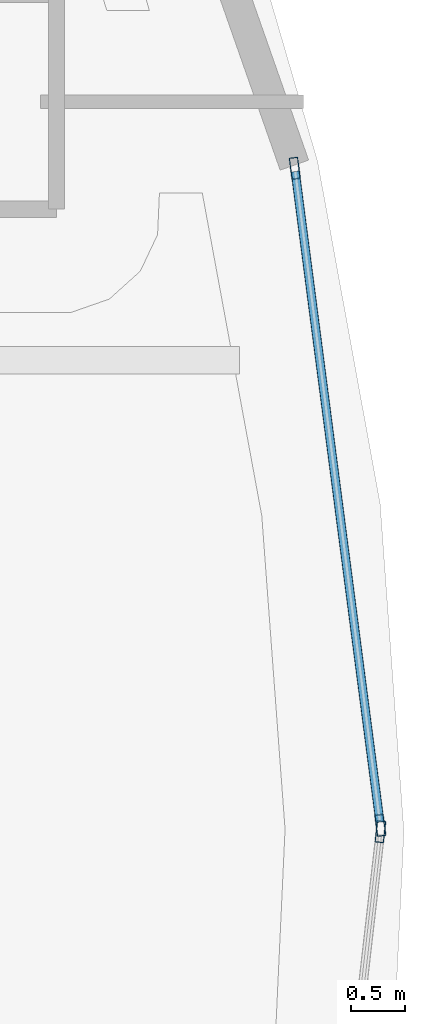
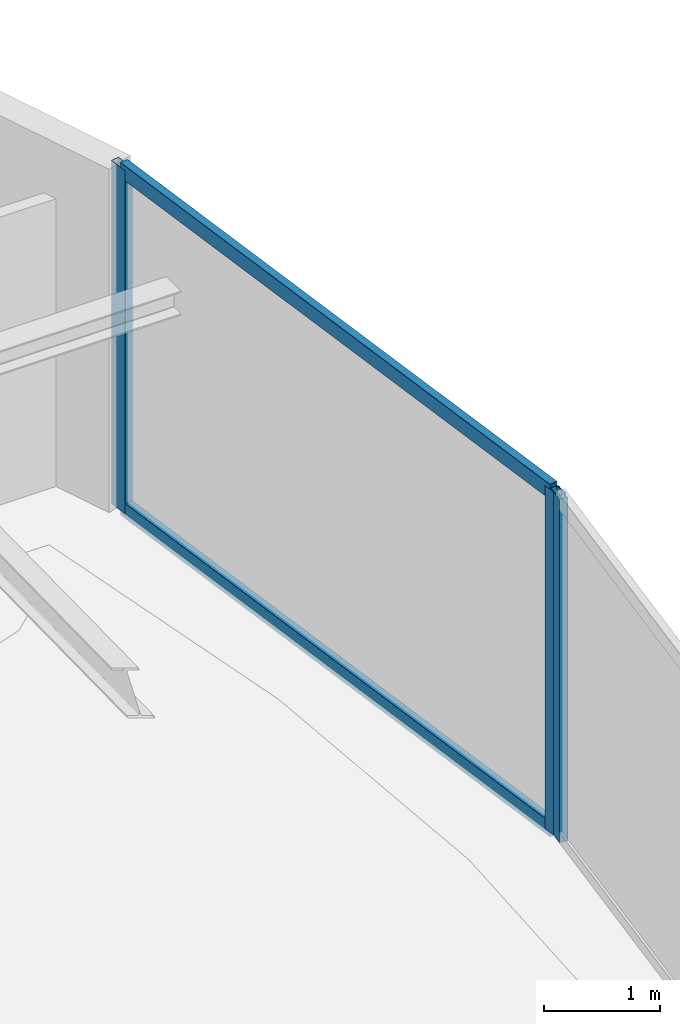
# One storey, part 9 of 20: 5 members, 2 elements without a shape of their own.
"""IFC4 building model written with IfcOpenShell, lengths in metres."""

from ifc_helpers import new_model, si_unit, direction, frame, origin, origin_2d, place, context, subcontext, project, spatial, hollow_rectangle, extrude, material, layer, layer_set, material_profile, profile_set, type_object, element, aggregate, save


model = new_model("IFC4")

# Units and contexts
model_context = context("Model", 3, precision=1e-05, world=origin(), true_north=direction((0.0, 1.0)))
body_context = subcontext(model_context, "Body", "Model", "MODEL_VIEW")
ifc_project = project(units=[si_unit("LENGTHUNIT", "METRE"), si_unit("AREAUNIT", "SQUARE_METRE"), si_unit("VOLUMEUNIT", "CUBIC_METRE"), si_unit("PLANEANGLEUNIT", "RADIAN"), si_unit("MASSUNIT", "GRAM", prefix="KILO")], contexts=[model_context])

# Site, building, storey
site_placement = place(None, origin())
site = spatial("IfcSite", under=ifc_project, at=site_placement, CompositionType="ELEMENT")
building_placement = place(site_placement, origin())
building = spatial("IfcBuilding", under=site, at=building_placement, Name="Bramvorn Convention Spire", CompositionType="ELEMENT")
storey_placement = place(building_placement, frame((0.0, 0.0, 175.050048828125)))
storey = spatial("IfcBuildingStorey", under=building, at=storey_placement, Name="L44", CompositionType="ELEMENT", Elevation=175.050048828125)

# Curtain wall, member
ifc_material_1 = material(Name="Anodised Bronze Unitised Curtain Wall", Category="aluminium")
ifc_layer = layer(ifc_material_1, 0.179931640625)
ifc_layer_set = layer_set([ifc_layer], Name="Anodised Bronze Unitised Curtain Wall - CW-OFF-FRIT")
curtain_wall_type = type_object("IfcCurtainWallType", Name="CW-OFF-FRIT", PredefinedType="USERDEFINED", material=ifc_layer_set)
curtain_wall_1_placement = place(storey_placement, origin())
curtain_wall_1 = element("IfcCurtainWall", 1, at=curtain_wall_1_placement, inside=storey, type_object=curtain_wall_type, Name="L44 fritted glass curtain wall 02", ObjectType="UNITISED CURTAIN WALL", PredefinedType="USERDEFINED")
ifc_material_2 = material(Name="Anodised Bronze Aluminium 6063-T6", Category="aluminium")
ifc_material_profile_1 = material_profile(ifc_material_2, hollow_rectangle(XDim=0.080078125, YDim=0.199951171875, WallThickness=0.00390625, InnerFilletRadius=0.0009765625, OuterFilletRadius=0.00390625, at=origin_2d()))
ifc_profile_set_1 = profile_set([ifc_material_profile_1], Name="Anodised Bronze Aluminium 6063-T6 - CWM80X200")
member_type_1 = type_object("IfcMemberType", Name="CW-MUL-180", PredefinedType="MULLION", material=ifc_profile_set_1)
member_1_placement = place(storey_placement, frame((63.467529296875, 19.20654296875, 0.0), z_axis=(0.0, 0.0, 1.0), x_axis=(0.993479833675, -0.114007982536, 0.0)))
member_1 = element("IfcMember", 2, at=member_1_placement, type_object=member_type_1, Name="CW3 mullion 1", PredefinedType="MULLION", context=body_context, shape_type="SweptSolid", body=[
    extrude(hollow_rectangle(XDim=0.080078125, YDim=0.199951171875, WallThickness=0.00390625, InnerFilletRadius=0.0009765625, OuterFilletRadius=0.00390625, at=origin_2d()), origin(), (0.0, 0.0, 1.0), 3.619873046875),
])
aggregate(curtain_wall_1, [member_1])

# Curtain wall, members
curtain_wall_2_placement = place(storey_placement, origin())
curtain_wall_2 = element("IfcCurtainWall", 3, at=curtain_wall_2_placement, inside=storey, type_object=curtain_wall_type, Name="L44 fritted glass curtain wall 03", ObjectType="UNITISED CURTAIN WALL", PredefinedType="USERDEFINED")
member_2_placement = place(storey_placement, frame((62.670654296875, 25.380859375, 0.0), z_axis=(0.0, 0.0, 1.0), x_axis=(0.991623948165, 0.129158605696, 0.0)))
member_2 = element("IfcMember", 4, at=member_2_placement, type_object=member_type_1, Name="CW3 mullion 1", PredefinedType="MULLION", context=body_context, shape_type="SweptSolid", body=[
    extrude(hollow_rectangle(XDim=0.080078125, YDim=0.199951171875, WallThickness=0.00390625, InnerFilletRadius=0.0009765625, OuterFilletRadius=0.00390625, at=origin_2d()), origin(), (0.0, 0.0, 1.0), 3.619873046875),
])
member_3_placement = place(storey_placement, frame((63.467041015625, 19.26611328125, 0.0), z_axis=(0.0, 0.0, 1.0), x_axis=(0.991623948165, 0.129158605696, 0.0)))
member_3 = element("IfcMember", 5, at=member_3_placement, type_object=member_type_1, Name="CW3 mullion 2", PredefinedType="MULLION", context=body_context, shape_type="SweptSolid", body=[
    extrude(hollow_rectangle(XDim=0.080078125, YDim=0.199951171875, WallThickness=0.00390625, InnerFilletRadius=0.0009765625, OuterFilletRadius=0.00390625, at=origin_2d()), origin(), (0.0, 0.0, 1.0), 3.619873046875),
])
ifc_material_profile_2 = material_profile(ifc_material_2, hollow_rectangle(XDim=0.080078125, YDim=0.159912109375, WallThickness=0.00390625, InnerFilletRadius=0.0009765625, OuterFilletRadius=0.00390625, at=origin_2d()))
ifc_profile_set_2 = profile_set([ifc_material_profile_2], Name="Anodised Bronze Aluminium 6063-T6 - CWT80X160")
member_type_2 = type_object("IfcMemberType", Name="CW-TRN-150", PredefinedType="USERDEFINED", material=ifc_profile_set_2)
member_4_placement = place(storey_placement, frame((62.674560546875, 25.35107421875, 0.030029296875), z_axis=(0.129140907896, -0.991626253136, 0.0), x_axis=(0.991626253136, 0.129140907896, 0.0)))
member_4 = element("IfcMember", 6, at=member_4_placement, type_object=member_type_2, Name="CW3 transom 1.1", ObjectType="TRANSOM", PredefinedType="USERDEFINED", context=body_context, shape_type="SweptSolid", body=[
    extrude(hollow_rectangle(XDim=0.080078125, YDim=0.159912109375, WallThickness=0.00390625, InnerFilletRadius=0.0009765625, OuterFilletRadius=0.00390625, at=origin_2d()), origin(), (0.0, 0.0, 1.0), 6.106201171875),
])
member_5_placement = place(storey_placement, frame((62.674560546875, 25.35107421875, 3.58984375), z_axis=(0.129140907896, -0.991626253136, 0.0), x_axis=(0.991626253136, 0.129140907896, 0.0)))
member_5 = element("IfcMember", 7, at=member_5_placement, type_object=member_type_2, Name="CW3 transom 1.2", ObjectType="TRANSOM", PredefinedType="USERDEFINED", context=body_context, shape_type="SweptSolid", body=[
    extrude(hollow_rectangle(XDim=0.080078125, YDim=0.159912109375, WallThickness=0.00390625, InnerFilletRadius=0.0009765625, OuterFilletRadius=0.00390625, at=origin_2d()), origin(), (0.0, 0.0, 1.0), 6.106201171875),
])
aggregate(curtain_wall_2, [member_2, member_3, member_4, member_5])

save(model, "model.ifc")
